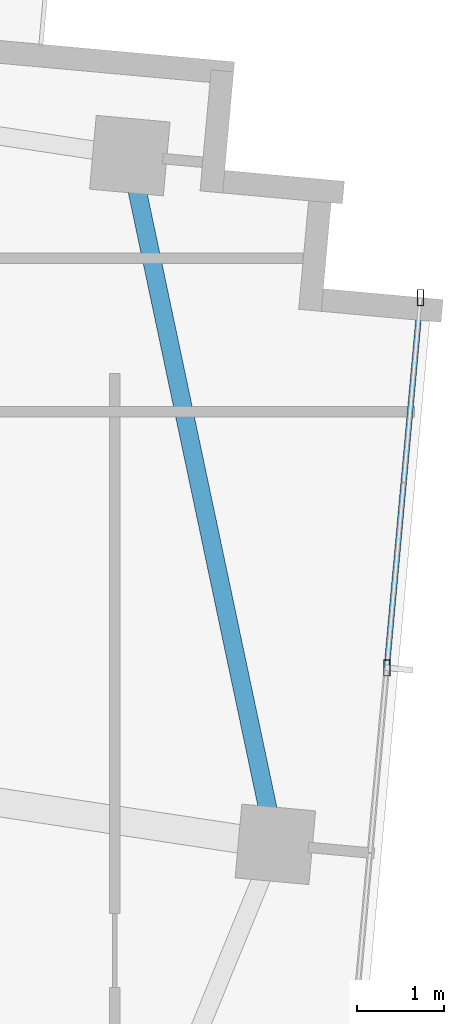
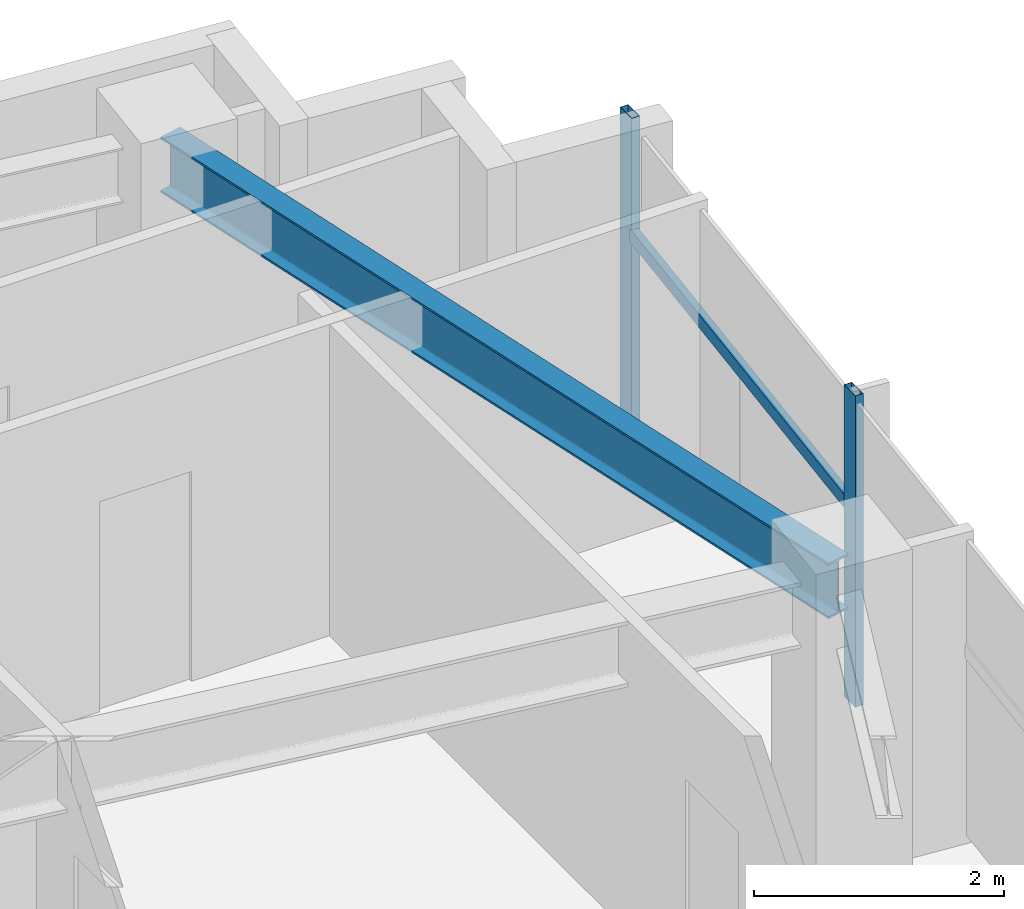
# One storey, part 14 of 22: 3 members, 1 beam, 1 element without a shape of its own.
"""IFC4 building model written with IfcOpenShell, lengths in metres."""

import ifcopenshell
import ifcopenshell.guid

model = None  # the IFC model being written
_history = None  # IfcOwnerHistory: only IFC2X3 demands one
_inside = {}  # id of a spatial element -> (the spatial element, [elements in it])
_under = {}  # id of a project, library or spatial element -> (it, [spatial elements below it])
_declared = {}  # id of a project -> (the project, [libraries it declares])
_typed = {}  # id of a type object -> (the type object, [elements of that type])
_made_of = {}  # id of a material, layer set ... -> (it, [elements and type objects made of it])


def new_model(schema):
    """Start an empty IFC model of exactly this schema.

    Asked for "IFC4X3", IfcOpenShell would pick the latest addendum, in which some entities
    have other attributes; the version numbers below select the first issue.
    IFC2X3 requires an IfcOwnerHistory on every rooted entity: one is made here for all.
    """
    global model, _history
    if schema == "IFC4X3":
        model = ifcopenshell.file(schema_version=(4, 3, 0, 0))
    else:
        model = ifcopenshell.file(schema=schema)
    _inside.clear()
    _under.clear()
    _declared.clear()
    _typed.clear()
    _made_of.clear()
    _history = None
    if model.schema == "IFC2X3":
        org = make("IfcOrganization", Name="unknown")
        user = make(
            "IfcPersonAndOrganization",
            ThePerson=make("IfcPerson", FamilyName="unknown"),
            TheOrganization=org,
        )
        app = make(
            "IfcApplication",
            ApplicationDeveloper=org,
            Version="unknown",
            ApplicationFullName="unknown",
            ApplicationIdentifier="unknown",
        )
        _history = make(
            "IfcOwnerHistory",
            OwningUser=user,
            OwningApplication=app,
            ChangeAction="ADDED",
            CreationDate=0,
        )
    return model


def make(cls, **values):
    """One entity of the class cls with the attributes given. An attribute that is None is left unset."""
    return model.create_entity(
        cls, **{name: value for name, value in values.items() if value is not None}
    )


def rooted(cls, **values):
    """An entity with a GlobalId (a new one), such as an element, a storey or a relation."""
    return make(cls, GlobalId=ifcopenshell.guid.new(), OwnerHistory=_history, **values)


def si_unit(unit_type, name, prefix=None):
    """IfcSIUnit, for example si_unit("LENGTHUNIT", "METRE", prefix="MILLI")."""
    return make("IfcSIUnit", UnitType=unit_type, Prefix=prefix, Name=name)


def assignment(units):
    """IfcUnitAssignment: the units of a project."""
    return None if units is None else make("IfcUnitAssignment", Units=units)


def point(xyz):
    """IfcCartesianPoint."""
    return None if xyz is None else make("IfcCartesianPoint", Coordinates=xyz)


def direction(xyz):
    """IfcDirection."""
    return None if xyz is None else make("IfcDirection", DirectionRatios=xyz)


def frame(location, z_axis=None, x_axis=None):
    """IfcAxis2Placement3D, a coordinate frame: its origin and axes. An axis left out is left unset."""
    return make(
        "IfcAxis2Placement3D",
        Location=point(location),
        Axis=direction(z_axis),
        RefDirection=direction(x_axis),
    )


def frame_2d(location, x_axis=None):
    """IfcAxis2Placement2D, a coordinate frame in the plane: its origin and x axis."""
    return make(
        "IfcAxis2Placement2D", Location=point(location), RefDirection=direction(x_axis)
    )


def origin():
    """The frame at (0, 0, 0) with its axes left unset."""
    return frame((0.0, 0.0, 0.0))


def origin_2d():
    """The frame at (0, 0) in the plane with its x axis left unset."""
    return frame_2d((0.0, 0.0))


def place(relative_to, where):
    """IfcLocalPlacement: puts the frame where relative to a parent placement (None: the world)."""
    return make(
        "IfcLocalPlacement", PlacementRelTo=relative_to, RelativePlacement=where
    )


def context(
    kind, dimensions, precision=None, world=None, true_north=None, identifier=None
):
    """IfcGeometricRepresentationContext, for example the 3D "Model" context."""
    return make(
        "IfcGeometricRepresentationContext",
        ContextIdentifier=identifier,
        ContextType=kind,
        CoordinateSpaceDimension=dimensions,
        Precision=precision,
        WorldCoordinateSystem=world,
        TrueNorth=true_north,
    )


def subcontext(parent, identifier, kind, view, scale=None):
    """IfcGeometricRepresentationSubContext, for example "Body" below "Model"."""
    return make(
        "IfcGeometricRepresentationSubContext",
        ContextIdentifier=identifier,
        ContextType=kind,
        ParentContext=parent,
        TargetScale=scale,
        TargetView=view,
    )


def project(units=None, contexts=None):
    """IfcProject with its units and contexts."""
    return rooted(
        "IfcProject",
        Name="project",
        RepresentationContexts=contexts,
        UnitsInContext=assignment(units),
    )


def spatial(cls, under=None, at=None, **own):
    """A site, building, storey or space (cls), placed at a placement, below another one or the project."""
    s = rooted(cls, ObjectPlacement=at, **own)
    if under is not None:
        _under.setdefault(under.id(), (under, []))[1].append(s)
    return s


def profile(cls, at=None, kind="AREA", **sizes):
    """A parametric profile (cls). Its sizes go by their IFC names, for example OverallWidth=200.0."""
    return make(cls, ProfileType=kind, Position=at, **sizes)


def hollow_rectangle(**sizes):
    """IfcRectangleHollowProfileDef."""
    return profile("IfcRectangleHollowProfileDef", **sizes)


def i_section(**sizes):
    """IfcIShapeProfileDef."""
    return profile("IfcIShapeProfileDef", **sizes)


def extrude(swept, where, along, depth):
    """IfcExtrudedAreaSolid: the profile swept, set in the frame where, extruded along a direction by depth."""
    return make(
        "IfcExtrudedAreaSolid",
        SweptArea=swept,
        Position=where,
        ExtrudedDirection=direction(along),
        Depth=depth,
    )


def shape(context_of_items, identifier, shape_type, items):
    """IfcShapeRepresentation: the items that make up one representation, for example the "Body"."""
    return make(
        "IfcShapeRepresentation",
        ContextOfItems=context_of_items,
        RepresentationIdentifier=identifier,
        RepresentationType=shape_type,
        Items=items,
    )


def source(mapping_origin, context_of_items, identifier, shape_type, items):
    """IfcRepresentationMap: a shape defined once, which mapped items show again and again."""
    return make(
        "IfcRepresentationMap",
        MappingOrigin=mapping_origin,
        MappedRepresentation=shape(context_of_items, identifier, shape_type, items),
    )


def transform(
    local_origin,
    x_axis=None,
    y_axis=None,
    z_axis=None,
    scale=None,
    scale2=None,
    scale3=None,
    uniform=True,
):
    """IfcCartesianTransformationOperator3D, or its non-uniform kind. x_axis, y_axis, z_axis: its Axis1, 2, 3."""
    if uniform:
        return make(
            "IfcCartesianTransformationOperator3D",
            Axis1=direction(x_axis),
            Axis2=direction(y_axis),
            LocalOrigin=point(local_origin),
            Scale=scale,
            Axis3=direction(z_axis),
        )
    return make(
        "IfcCartesianTransformationOperator3DnonUniform",
        Axis1=direction(x_axis),
        Axis2=direction(y_axis),
        LocalOrigin=point(local_origin),
        Scale=scale,
        Axis3=direction(z_axis),
        Scale2=scale2,
        Scale3=scale3,
    )


def mapped(mapping_source, mapping_target):
    """IfcMappedItem: shows the shape of a source again, moved by a transform."""
    return make(
        "IfcMappedItem", MappingSource=mapping_source, MappingTarget=mapping_target
    )


def material(Name=None, Category=None):
    """IfcMaterial."""
    return make("IfcMaterial", Name=Name, Category=Category)


def material_profile(
    of_material, cross_section, Name=None, Category=None, Priority=None
):
    """IfcMaterialProfile: a cross section and its material."""
    return make(
        "IfcMaterialProfile",
        Name=Name,
        Material=of_material,
        Profile=cross_section,
        Priority=Priority,
        Category=Category,
    )


def profile_set(profiles, Name=None, composite=None):
    """IfcMaterialProfileSet."""
    return make(
        "IfcMaterialProfileSet",
        Name=Name,
        MaterialProfiles=profiles,
        CompositeProfile=composite,
    )


def made_of(thing, what):
    """Note that an element or type object is made of a material, layer set ...; save() writes the relation."""
    if what is not None:
        _made_of.setdefault(what.id(), (what, []))[1].append(thing)
    return thing


def type_object(cls, material=None, **own):
    """A type object (cls), such as IfcWallType, which elements share."""
    return made_of(rooted(cls, **own), material)


def type_shapes(of_type, sources):
    """Give a type object the sources (RepresentationMaps) that its elements show as mapped items."""
    of_type.RepresentationMaps = sources


def element(
    cls,
    number,
    at=None,
    inside=None,
    cuts=None,
    type_object=None,
    material=None,
    context=None,
    identifier="Body",
    shape_type=None,
    held_by="IfcProductDefinitionShape",
    body=None,
    shapes=None,
    **own,
):
    """One element of the class cls, such as IfcWall. Its Tag is "e" and its number.

    at: its placement. inside: the storey or other place that contains it. cuts: it is an
    opening in that element (IfcRelVoidsElement). A single representation is given by context,
    identifier, shape_type and body (its items); several are given by shapes. held_by: the class
    of the entity that holds the representations. save() writes the other relations.
    """
    e = rooted(cls, Tag="e%d" % number, ObjectPlacement=at, **own)
    if body is not None:
        shapes = [shape(context, identifier, shape_type, body)]
    if shapes is not None:
        e.Representation = make(held_by, Representations=shapes)
    if inside is not None:
        _inside.setdefault(inside.id(), (inside, []))[1].append(e)
    if cuts is not None:
        rooted(
            "IfcRelVoidsElement", RelatingBuildingElement=cuts, RelatedOpeningElement=e
        )
    if type_object is not None:
        _typed.setdefault(type_object.id(), (type_object, []))[1].append(e)
    return made_of(e, material)


def aggregate(whole, parts):
    """IfcRelAggregates: a whole, such as a stair, and the parts it consists of."""
    return rooted("IfcRelAggregates", RelatingObject=whole, RelatedObjects=parts)


def save(model, path):
    """Write the relations noted so far, then the file.

    IfcRelAggregates (storeys below a building ...), IfcRelContainedInSpatialStructure (elements
    in a storey), IfcRelDefinesByType, IfcRelAssociatesMaterial and IfcRelDeclares: one each for
    every whole, place, type object, material and project.
    """
    for whole, parts in _under.values():
        aggregate(whole, parts)
    for where, things in _inside.values():
        rooted(
            "IfcRelContainedInSpatialStructure",
            RelatedElements=things,
            RelatingStructure=where,
        )
    for kind, things in _typed.values():
        rooted("IfcRelDefinesByType", RelatedObjects=things, RelatingType=kind)
    for what, things in _made_of.values():
        rooted("IfcRelAssociatesMaterial", RelatedObjects=things, RelatingMaterial=what)
    for by, libraries in _declared.values():
        rooted("IfcRelDeclares", RelatingContext=by, RelatedDefinitions=libraries)
    model.write(path)


model = new_model("IFC4")

# Units and contexts
model_context = context("Model", 3, precision=1e-05, world=origin(), true_north=direction((0.0, 1.0)))
body_context = subcontext(model_context, "Body", "Model", "MODEL_VIEW")
ifc_project = project(units=[si_unit("LENGTHUNIT", "METRE"), si_unit("AREAUNIT", "SQUARE_METRE"), si_unit("VOLUMEUNIT", "CUBIC_METRE"), si_unit("PLANEANGLEUNIT", "RADIAN"), si_unit("MASSUNIT", "GRAM", prefix="KILO")], contexts=[model_context])

# Site, building, storey
site_placement = place(None, origin())
site = spatial("IfcSite", under=ifc_project, at=site_placement, CompositionType="ELEMENT")
building_placement = place(site_placement, origin())
building = spatial("IfcBuilding", under=site, at=building_placement, Name="Astriad Promenade Condominiums", CompositionType="ELEMENT")
storey_placement = place(building_placement, frame((0.0, 0.0, 229.800048828125)))
storey = spatial("IfcBuildingStorey", under=building, at=storey_placement, Name="L66", CompositionType="ELEMENT", Elevation=229.800048828125)

# Beam
ifc_material_1 = material(Name="Steel ASTM A992 Grade 50", Category="steel")
ifc_material_profile_1 = material_profile(ifc_material_1, i_section(OverallWidth=0.210693359375, OverallDepth=0.53955078125, WebThickness=0.01171875, FlangeThickness=0.018798828125, FilletRadius=0.0166015625, at=origin_2d()), Name="W21X73")
ifc_profile_set_1 = profile_set([ifc_material_profile_1], Name="Steel ASTM A992 Grade 50")
beam_type = type_object("IfcBeamType", Name="STEEL SPANDREL BEAM W21X73", PredefinedType="SPANDREL", material=ifc_profile_set_1)
shared_shape_1 = source(origin(), body_context, "Body", "SweptSolid", [
    extrude(i_section(OverallWidth=0.210693359375, OverallDepth=0.53955078125, WebThickness=0.01171875, FlangeThickness=0.018798828125, FilletRadius=0.0166015625, at=origin_2d()), origin(), (0.0, 0.0, 1.0), 7.99853515625),
])
type_shapes(beam_type, [shared_shape_1])
beam_placement = place(storey_placement, frame((54.88037109375, 16.02880859375, 2.770263671875), z_axis=(-0.20676418926, 0.978390806396, 0.0), x_axis=(-0.978390806396, -0.20676418926, 0.0)))
element("IfcBeam", 1, at=beam_placement, inside=storey, type_object=beam_type, Name="Perimeter Spandrel Beam SP-E2-L66", PredefinedType="SPANDREL", context=body_context, shape_type="MappedRepresentation", body=[
    mapped(shared_shape_1, transform((0.0, 0.0, 0.0), scale=1.0)),
])

# Curtain wall, members
ifc_material_2 = material(Name="Anodised aluminium Black Dark Glass Unitised", Category="aluminium")
curtain_wall_type = type_object("IfcCurtainWallType", Name="CW-B5-DARK", PredefinedType="USERDEFINED", material=ifc_material_2)
curtain_wall_placement = place(storey_placement, origin())
curtain_wall = element("IfcCurtainWall", 2, at=curtain_wall_placement, inside=storey, type_object=curtain_wall_type, Name="CW-L66-E", ObjectType="UNITISED_CURTAIN_WALL", PredefinedType="USERDEFINED")
ifc_material_3 = material(Name="Anodised aluminium 6063-T6 Black", Category="aluminium")
ifc_material_profile_2 = material_profile(ifc_material_3, hollow_rectangle(XDim=0.06494140625, YDim=0.1298828125, WallThickness=0.00390625, at=origin_2d()), Name="ALU-TRN-65X130")
ifc_profile_set_2 = profile_set([ifc_material_profile_2], Name="Anodised aluminium 6063-T6 Black")
member_type_1 = type_object("IfcMemberType", Name="TRN-ALU-TRN-65X130", PredefinedType="USERDEFINED", material=ifc_profile_set_2)
shared_shape_2 = source(origin(), body_context, "Body", "SweptSolid", [
    extrude(hollow_rectangle(XDim=0.06494140625, YDim=0.1298828125, WallThickness=0.00390625, at=origin_2d()), origin(), (0.0, 0.0, 1.0), 4.2666015625),
])
type_shapes(member_type_1, [shared_shape_2])
member_1_placement = place(storey_placement, frame((56.55419921875, 22.2646484375, 1.884765625), z_axis=(-0.090638931954, -0.99588382054, 0.0), x_axis=(0.99588382054, -0.090638931954, 0.0)))
member_1 = element("IfcMember", 3, at=member_1_placement, type_object=member_type_1, Name="CW-L66-E-TRN-00-0", ObjectType="TRANSOM", PredefinedType="USERDEFINED", context=body_context, shape_type="MappedRepresentation", body=[
    mapped(shared_shape_2, transform((0.0, 0.0, 0.0), scale=1.0)),
])
ifc_material_profile_3 = material_profile(ifc_material_3, hollow_rectangle(XDim=0.074951171875, YDim=0.18505859375, WallThickness=0.00439453125, at=origin_2d()), Name="ALU-MUL-75X185")
ifc_profile_set_3 = profile_set([ifc_material_profile_3], Name="Anodised aluminium 6063-T6 Black")
member_type_2 = type_object("IfcMemberType", Name="MUL-ALU-MUL-75X185", PredefinedType="MULLION", material=ifc_profile_set_3)
shared_shape_3 = source(origin(), body_context, "Body", "SweptSolid", [
    extrude(hollow_rectangle(XDim=0.074951171875, YDim=0.18505859375, WallThickness=0.00439453125, at=origin_2d()), origin(), (0.0, 0.0, 1.0), 3.0400390625),
])
type_shapes(member_type_2, [shared_shape_3])
member_2_placement = place(storey_placement, frame((56.55419921875, 22.2646484375, 0.0), z_axis=(0.0, 0.0, 1.0), x_axis=(1.0, 0.0, 0.0)))
member_2 = element("IfcMember", 4, at=member_2_placement, type_object=member_type_2, Name="CW-L66-E-MUL-00", PredefinedType="MULLION", context=body_context, shape_type="MappedRepresentation", body=[
    mapped(shared_shape_3, transform((0.0, 0.0, 0.0), scale=1.0)),
])
member_3_placement = place(storey_placement, frame((56.16748046875, 18.015625, 0.0), z_axis=(0.0, 0.0, 1.0), x_axis=(1.0, 0.0, 0.0)))
member_3 = element("IfcMember", 5, at=member_3_placement, type_object=member_type_2, Name="CW-L66-E-MUL-01", PredefinedType="MULLION", context=body_context, shape_type="MappedRepresentation", body=[
    mapped(shared_shape_3, transform((0.0, 0.0, 0.0), scale=1.0)),
])
aggregate(curtain_wall, [member_2, member_3, member_1])

save(model, "model.ifc")
